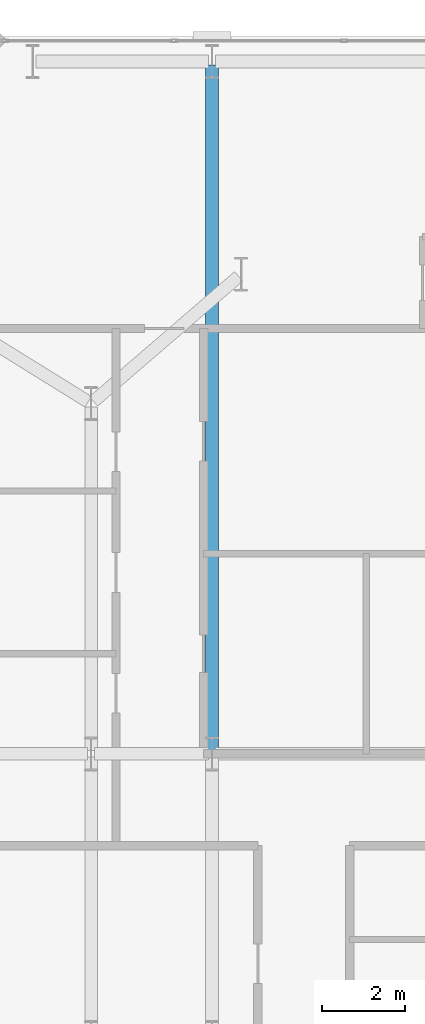
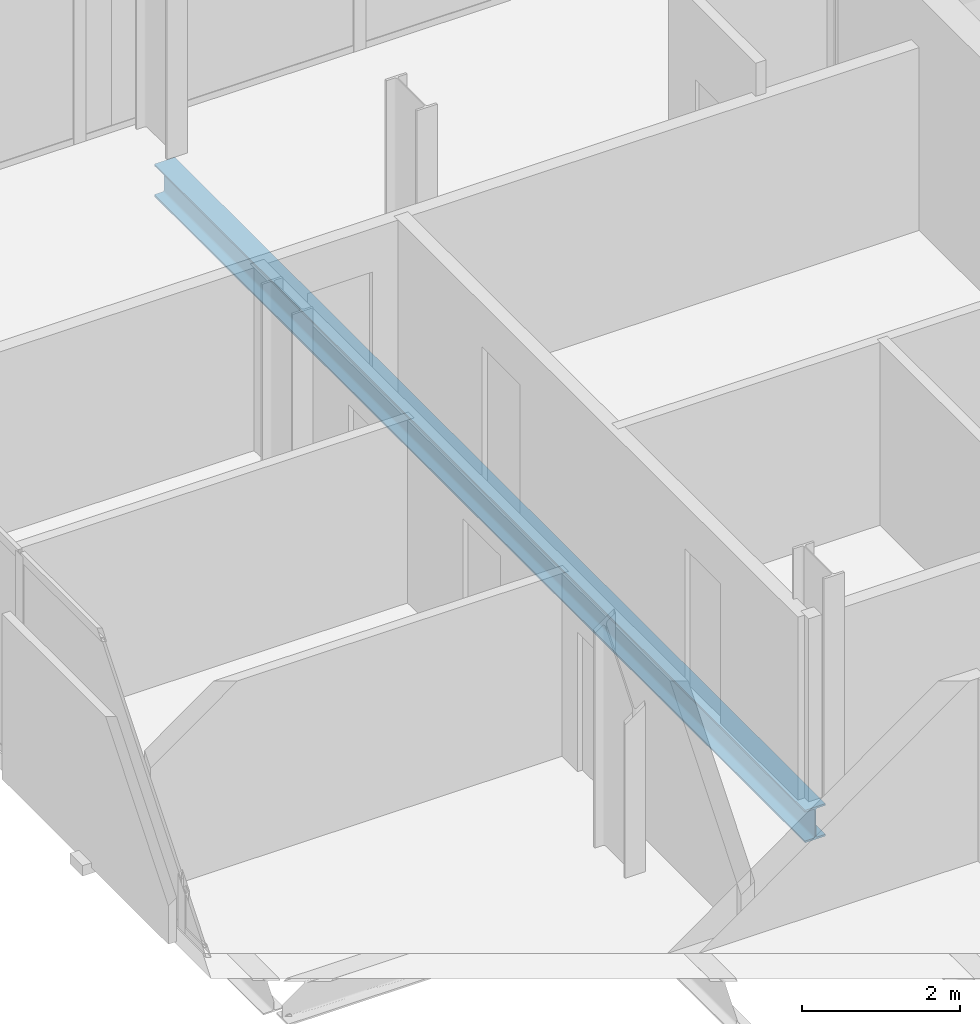
# One storey, part 18 of 32: 1 beam.
"""IFC4 building model written with IfcOpenShell, lengths in metres."""

from ifc_helpers import new_model, si_unit, direction, frame, origin, origin_2d, place, context, subcontext, project, spatial, i_section, extrude, material, material_profile, profile_set, type_object, element, save


model = new_model("IFC4")

# Units and contexts
model_context = context("Model", 3, precision=1e-05, world=origin(), true_north=direction((0.0, 1.0)))
body_context = subcontext(model_context, "Body", "Model", "MODEL_VIEW")
ifc_project = project(units=[si_unit("LENGTHUNIT", "METRE"), si_unit("AREAUNIT", "SQUARE_METRE"), si_unit("VOLUMEUNIT", "CUBIC_METRE"), si_unit("PLANEANGLEUNIT", "RADIAN"), si_unit("MASSUNIT", "GRAM", prefix="KILO")], contexts=[model_context])

# Site, building, storey
site_placement = place(None, origin())
site = spatial("IfcSite", under=ifc_project, at=site_placement, CompositionType="ELEMENT")
building_placement = place(site_placement, origin())
building = spatial("IfcBuilding", under=site, at=building_placement, Name="Catumbela Crestline Tower", CompositionType="ELEMENT")
storey_placement = place(building_placement, frame((0.0, 0.0, 61.8)))
storey = spatial("IfcBuildingStorey", under=building, at=storey_placement, Name="L15", CompositionType="ELEMENT", Elevation=61.8)

# Beam
ifc_material = material(Name="Structural steel S355J2", Category="steel")
ifc_material_profile = material_profile(ifc_material, i_section(OverallWidth=0.3, OverallDepth=0.5, WebThickness=0.0145, FlangeThickness=0.028, FilletRadius=0.027, at=origin_2d()), Name="HEB 500")
ifc_profile_set = profile_set([ifc_material_profile], Name="Structural steel S355J2")
beam_type = type_object("IfcBeamType", Name="BG-HEB500", PredefinedType="BEAM", material=ifc_profile_set)
beam_placement = place(storey_placement, frame((8.5, 30.88, -0.51), z_axis=(0.0, 1.0, 0.0), x_axis=(-1.0, 0.0, 0.0)))
element("IfcBeam", 1, at=beam_placement, inside=storey, type_object=beam_type, Name="L15 Beam BM-L15-SN30", PredefinedType="BEAM", context=body_context, shape_type="SweptSolid", body=[
    extrude(i_section(OverallWidth=0.3, OverallDepth=0.5, WebThickness=0.0145, FlangeThickness=0.028, FilletRadius=0.027, at=origin_2d()), origin(), (0.0, 0.0, 1.0), 16.44),
])

save(model, "model.ifc")
